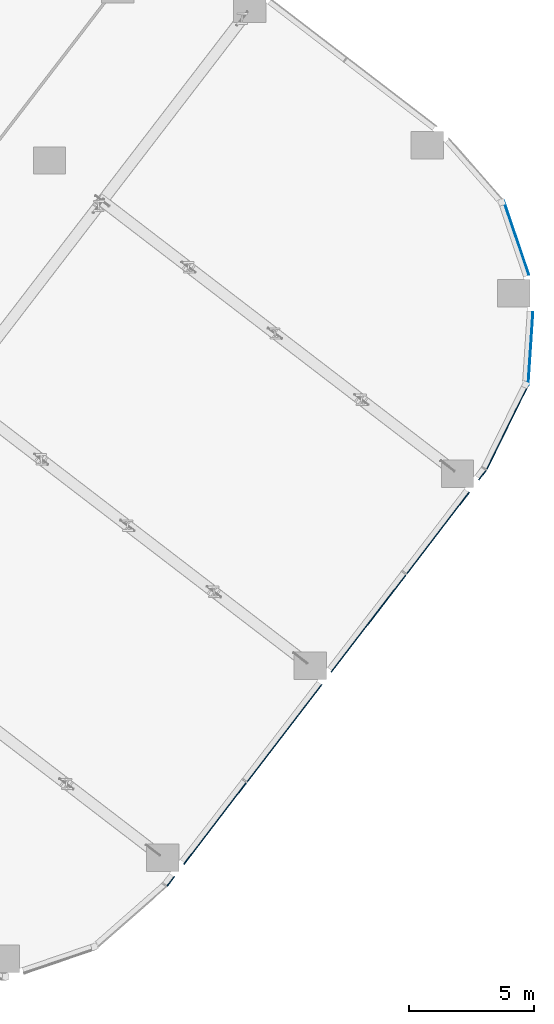
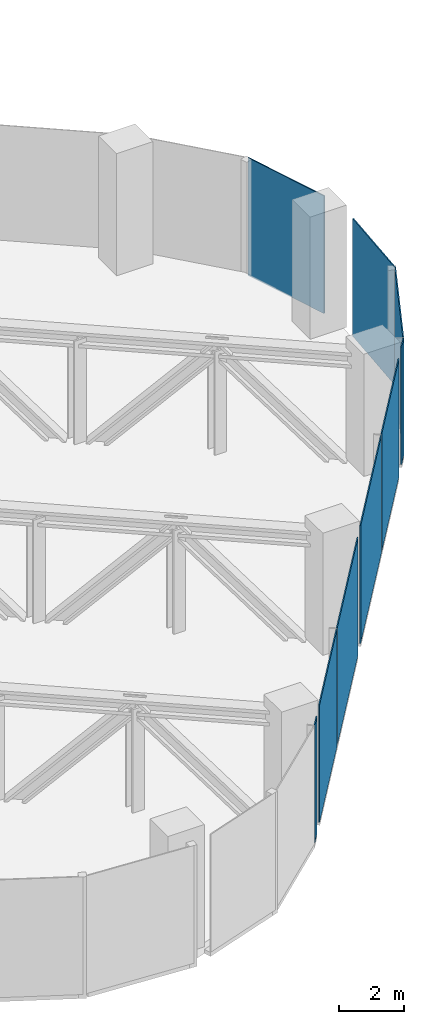
# One storey, part 19 of 30: 9 plates, 4 elements without a shape of their own.
"""IFC4 building model written with IfcOpenShell, lengths in metres."""

from ifc_helpers import new_model, si_unit, direction, frame, origin, origin_2d, place, context, subcontext, project, spatial, rectangle, extrude, material, layer, layer_set, type_object, element, aggregate, save


model = new_model("IFC4")

# Units and contexts
model_context = context("Model", 3, precision=1e-05, world=origin(), true_north=direction((0.0, 1.0)))
body_context = subcontext(model_context, "Body", "Model", "MODEL_VIEW")
ifc_project = project(units=[si_unit("LENGTHUNIT", "METRE"), si_unit("AREAUNIT", "SQUARE_METRE"), si_unit("VOLUMEUNIT", "CUBIC_METRE"), si_unit("PLANEANGLEUNIT", "RADIAN"), si_unit("MASSUNIT", "GRAM", prefix="KILO")], contexts=[model_context])

# Site, building, storey
site_placement = place(None, origin())
site = spatial("IfcSite", under=ifc_project, at=site_placement, CompositionType="ELEMENT")
building_placement = place(site_placement, origin())
building = spatial("IfcBuilding", under=site, at=building_placement, Name="Orlundy Tower", CompositionType="ELEMENT")
storey_placement = place(building_placement, frame((0.0, 0.0, 20.5)))
storey = spatial("IfcBuildingStorey", under=building, at=storey_placement, Name="L03", CompositionType="ELEMENT", Elevation=20.5)

# Curtain wall, plate
ifc_material_1 = material(Name="Aluminium bronze anodised", Category="aluminium")
curtain_wall_type = type_object("IfcCurtainWallType", Name="CW2 wall", PredefinedType="NOTDEFINED", material=ifc_material_1)
curtain_wall_1_placement = place(storey_placement, origin())
curtain_wall_1 = element("IfcCurtainWall", 1, at=curtain_wall_1_placement, inside=storey, type_object=curtain_wall_type, Name="CW2 run 020", PredefinedType="NOTDEFINED")
ifc_material_2 = material(Name="Tinted glass", Category="glass")
ifc_layer_1 = layer(ifc_material_2, 0.0380859375)
ifc_layer_set_1 = layer_set([ifc_layer_1], Name="CW2 glass panel 38")
plate_type_1 = type_object("IfcPlateType", Name="CW2 glass panel 38", PredefinedType="CURTAIN_PANEL", material=ifc_layer_set_1)
plate_1_placement = place(storey_placement, frame((55.785888671875, -19.3271484375, -0.25), z_axis=(0.0, 0.0, 1.0), x_axis=(0.321564171921, -0.946887788144, 0.0)))
plate_1 = element("IfcPlate", 2, at=plate_1_placement, type_object=plate_type_1, Name="CW2 panel", PredefinedType="CURTAIN_PANEL", context=body_context, shape_type="SweptSolid", body=[
    extrude(rectangle(XDim=3.12158203125, YDim=0.0380859375, at=origin_2d()), origin(), (0.0, 0.0, 1.0), 4.429931640625),
])
aggregate(curtain_wall_1, [plate_1])

curtain_wall_2_placement = place(storey_placement, origin())
curtain_wall_2 = element("IfcCurtainWall", 3, at=curtain_wall_2_placement, inside=storey, type_object=curtain_wall_type, Name="CW2 run 021", PredefinedType="NOTDEFINED")
plate_2_placement = place(storey_placement, frame((56.352783203125, -23.7705078125, -0.25), z_axis=(0.0, 0.0, 1.0), x_axis=(-0.065569783834, -0.997847986142, 0.0)))
plate_2 = element("IfcPlate", 4, at=plate_2_placement, type_object=plate_type_1, Name="CW2 panel", PredefinedType="CURTAIN_PANEL", context=body_context, shape_type="SweptSolid", body=[
    extrude(rectangle(XDim=2.937255859375, YDim=0.0380859375, at=origin_2d()), origin(), (0.0, 0.0, 1.0), 4.429931640625),
])
aggregate(curtain_wall_2, [plate_2])

curtain_wall_3_placement = place(storey_placement, origin())
curtain_wall_3 = element("IfcCurtainWall", 5, at=curtain_wall_3_placement, inside=storey, type_object=curtain_wall_type, Name="CW2 run 022", PredefinedType="NOTDEFINED")
plate_3_placement = place(storey_placement, frame((55.42724609375, -26.91796875, -0.25), z_axis=(0.0, 0.0, 1.0), x_axis=(-0.442134938063, -0.896948547323, 0.0)))
plate_3 = element("IfcPlate", 6, at=plate_3_placement, type_object=plate_type_1, Name="CW2 panel", PredefinedType="CURTAIN_PANEL", context=body_context, shape_type="SweptSolid", body=[
    extrude(rectangle(XDim=3.75048828125, YDim=0.0380859375, at=origin_2d()), origin(), (0.0, 0.0, 1.0), 4.429931640625),
])
aggregate(curtain_wall_3, [plate_3])

# Curtain wall, plates
curtain_wall_4_placement = place(storey_placement, origin())
curtain_wall_4 = element("IfcCurtainWall", 7, at=curtain_wall_4_placement, inside=storey, type_object=curtain_wall_type, Name="CW2 run 023", PredefinedType="NOTDEFINED")
ifc_material_3 = material(Name="Bronze aluminium spandrel", Category="aluminium")
ifc_layer_2 = layer(ifc_material_3, 0.0380859375)
ifc_layer_set_2 = layer_set([ifc_layer_2], Name="CW2 spandrel panel 38")
plate_type_2 = type_object("IfcPlateType", Name="CW2 spandrel panel 38", PredefinedType="CURTAIN_PANEL", material=ifc_layer_set_2)
plate_4_placement = place(storey_placement, frame((54.42431640625, -28.834716796875, -0.25), z_axis=(0.0, 0.0, 1.0), x_axis=(-0.60877139118, -0.793345695949, 0.0)))
plate_4 = element("IfcPlate", 8, at=plate_4_placement, type_object=plate_type_2, Name="CW2 panel", PredefinedType="CURTAIN_PANEL", context=body_context, shape_type="SweptSolid", body=[
    extrude(rectangle(XDim=0.484375, YDim=0.0380859375, at=origin_2d()), origin(), (0.0, 0.0, 1.0), 4.429931640625),
])
plate_5_placement = place(storey_placement, frame((52.645751953125, -31.15234375, -0.25), z_axis=(0.0, 0.0, 1.0), x_axis=(-0.60877139118, -0.793345695949, 0.0)))
plate_5 = element("IfcPlate", 9, at=plate_5_placement, type_object=plate_type_2, Name="CW2 panel", PredefinedType="CURTAIN_PANEL", context=body_context, shape_type="SweptSolid", body=[
    extrude(rectangle(XDim=4.11767578125, YDim=0.0380859375, at=origin_2d()), origin(), (0.0, 0.0, 1.0), 4.429931640625),
])
plate_6_placement = place(storey_placement, frame((49.866943359375, -34.773681640625, -0.25), z_axis=(0.0, 0.0, 1.0), x_axis=(-0.60877139118, -0.793345695949, 0.0)))
plate_6 = element("IfcPlate", 10, at=plate_6_placement, type_object=plate_type_2, Name="CW2 panel", PredefinedType="CURTAIN_PANEL", context=body_context, shape_type="SweptSolid", body=[
    extrude(rectangle(XDim=4.91162109375, YDim=0.0380859375, at=origin_2d()), origin(), (0.0, 0.0, 1.0), 4.429931640625),
])
plate_7_placement = place(storey_placement, frame((46.4970703125, -39.165283203125, -0.25), z_axis=(0.0, 0.0, 1.0), x_axis=(-0.60877139118, -0.793345695949, 0.0)))
plate_7 = element("IfcPlate", 11, at=plate_7_placement, type_object=plate_type_2, Name="CW2 panel", PredefinedType="CURTAIN_PANEL", context=body_context, shape_type="SweptSolid", body=[
    extrude(rectangle(XDim=4.9169921875, YDim=0.0380859375, at=origin_2d()), origin(), (0.0, 0.0, 1.0), 4.429931640625),
])
plate_8_placement = place(storey_placement, frame((43.718505859375, -42.786376953125, -0.25), z_axis=(0.0, 0.0, 1.0), x_axis=(-0.60877139118, -0.793345695949, 0.0)))
plate_8 = element("IfcPlate", 12, at=plate_8_placement, type_object=plate_type_2, Name="CW2 panel", PredefinedType="CURTAIN_PANEL", context=body_context, shape_type="SweptSolid", body=[
    extrude(rectangle(XDim=4.111572265625, YDim=0.0380859375, at=origin_2d()), origin(), (0.0, 0.0, 1.0), 4.429931640625),
])
plate_9_placement = place(storey_placement, frame((41.93994140625, -45.1044921875, -0.25), z_axis=(0.0, 0.0, 1.0), x_axis=(-0.60877139118, -0.793345695949, 0.0)))
plate_9 = element("IfcPlate", 13, at=plate_9_placement, type_object=plate_type_2, Name="CW2 panel", PredefinedType="CURTAIN_PANEL", context=body_context, shape_type="SweptSolid", body=[
    extrude(rectangle(XDim=0.489990234375, YDim=0.0380859375, at=origin_2d()), origin(), (0.0, 0.0, 1.0), 4.429931640625),
])
aggregate(curtain_wall_4, [plate_4, plate_5, plate_6, plate_7, plate_8, plate_9])

save(model, "model.ifc")
